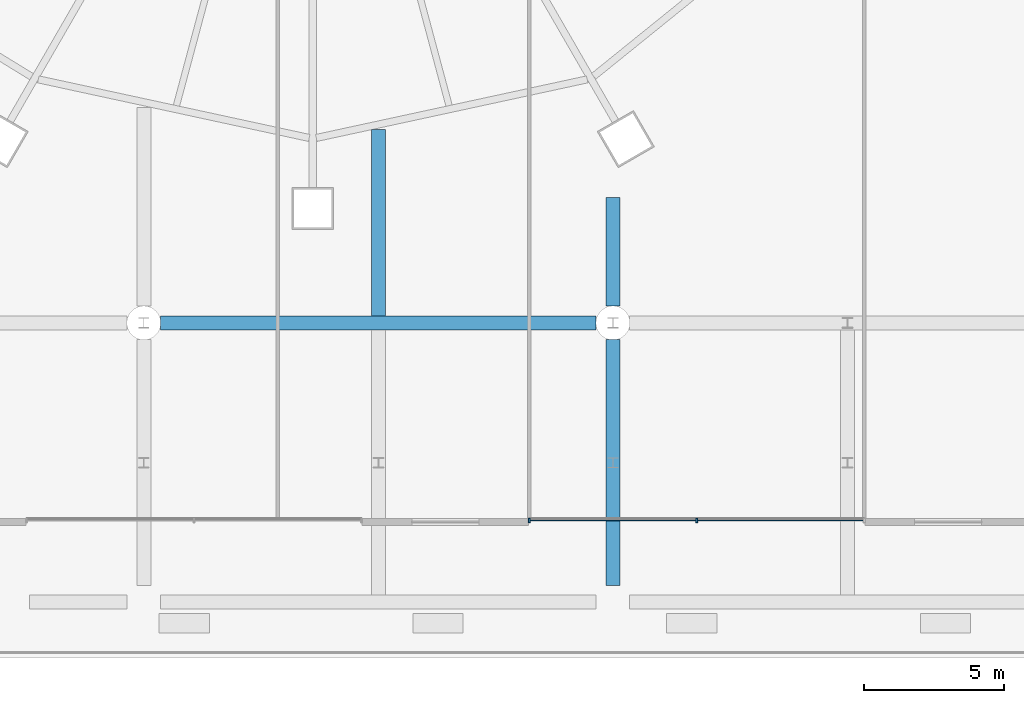
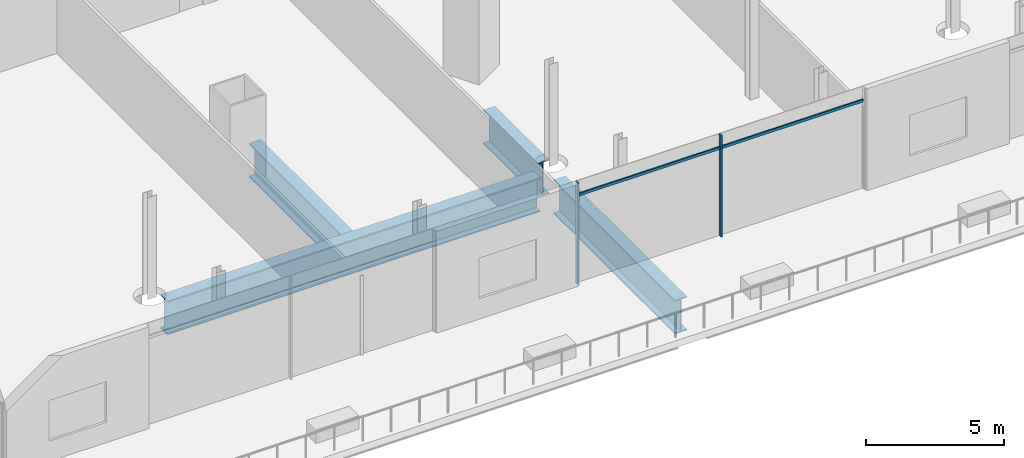
# One storey, part 15 of 56: 4 beams, 4 members, 1 element without a shape of its own.
"""IFC4 building model written with IfcOpenShell, lengths in metres."""

from ifc_helpers import new_model, si_unit, direction, frame, origin, origin_2d, place, context, subcontext, project, spatial, rectangle, i_section, extrude, material, material_profile, profile_set, type_object, element, aggregate, save


model = new_model("IFC4")

# Units and contexts
model_context = context("Model", 3, precision=1e-05, world=origin(), true_north=direction((0.0, 1.0)))
body_context = subcontext(model_context, "Body", "Model", "MODEL_VIEW")
ifc_project = project(units=[si_unit("LENGTHUNIT", "METRE"), si_unit("AREAUNIT", "SQUARE_METRE"), si_unit("VOLUMEUNIT", "CUBIC_METRE"), si_unit("PLANEANGLEUNIT", "RADIAN"), si_unit("MASSUNIT", "GRAM", prefix="KILO")], contexts=[model_context])

# Site, building, storey
site_placement = place(None, origin())
site = spatial("IfcSite", under=ifc_project, at=site_placement, CompositionType="ELEMENT")
building_placement = place(site_placement, origin())
building = spatial("IfcBuilding", under=site, at=building_placement, Name="Rimbun Link Towers", CompositionType="ELEMENT")
storey_placement = place(building_placement, frame((0.0, 0.0, 16.5)))
storey = spatial("IfcBuildingStorey", under=building, at=storey_placement, Name="L03", CompositionType="ELEMENT", Elevation=16.5)

# Curtain wall, members
ifc_material_1 = material(Name="Aluminium 6063-T6 and low-iron glass", Category="aluminium")
curtain_wall_type = type_object("IfcCurtainWallType", Name="CW3 podium shopfront", PredefinedType="NOTDEFINED", material=ifc_material_1)
curtain_wall_placement = place(storey_placement, origin())
curtain_wall = element("IfcCurtainWall", 1, at=curtain_wall_placement, inside=storey, type_object=curtain_wall_type, Name="CW3 L03 PD", PredefinedType="NOTDEFINED")
ifc_material_2 = material(Name="Aluminium 6063-T6", Category="aluminium")
ifc_material_profile_1 = material_profile(ifc_material_2, rectangle(XDim=0.14990234375, YDim=0.06005859375, at=origin_2d()), Name="MULLION 60X150")
ifc_profile_set_1 = profile_set([ifc_material_profile_1], Name="Aluminium 6063-T6")
member_type_1 = type_object("IfcMemberType", Name="CW3 mullion 60X150", PredefinedType="MULLION", material=ifc_profile_set_1)
member_1_placement = place(storey_placement, frame((-24.0, -33.074951171875, 0.0), z_axis=(0.0, 0.0, 1.0), x_axis=(0.0, -1.0, 0.0)))
member_1 = element("IfcMember", 2, at=member_1_placement, type_object=member_type_1, Name="CW3 mullion", PredefinedType="MULLION", context=body_context, shape_type="SweptSolid", body=[
    extrude(rectangle(XDim=0.14990234375, YDim=0.06005859375, at=origin_2d()), origin(), (0.0, 0.0, 1.0), 4.5),
])
member_2_placement = place(storey_placement, frame((-18.0, -33.074951171875, 0.0), z_axis=(0.0, 0.0, 1.0), x_axis=(0.0, -1.0, 0.0)))
member_2 = element("IfcMember", 3, at=member_2_placement, type_object=member_type_1, Name="CW3 mullion", PredefinedType="MULLION", context=body_context, shape_type="SweptSolid", body=[
    extrude(rectangle(XDim=0.14990234375, YDim=0.06005859375, at=origin_2d()), origin(), (0.0, 0.0, 1.0), 4.5),
])
ifc_material_3 = material(Name="Aluminium 6063-T6", Category="aluminium")
ifc_material_profile_2 = material_profile(ifc_material_3, rectangle(XDim=0.06005859375, YDim=0.1201171875, at=origin_2d()), Name="TRANSOM 60X120")
ifc_profile_set_2 = profile_set([ifc_material_profile_2], Name="Aluminium 6063-T6")
member_type_2 = type_object("IfcMemberType", Name="CW3 transom 60X120", PredefinedType="USERDEFINED", material=ifc_profile_set_2)
member_3_placement = place(storey_placement, frame((-18.030029296875, -33.053955078125, 3.89990234375), z_axis=(-1.0, 0.0, 0.0), x_axis=(0.0, -1.0, 0.0)))
member_3 = element("IfcMember", 4, at=member_3_placement, type_object=member_type_2, Name="CW3 transom", ObjectType="TRANSOM", PredefinedType="USERDEFINED", context=body_context, shape_type="SweptSolid", body=[
    extrude(rectangle(XDim=0.06005859375, YDim=0.1201171875, at=origin_2d()), origin(), (0.0, 0.0, 1.0), 5.93994140625),
])
member_4_placement = place(storey_placement, frame((-12.030029296875, -33.053955078125, 3.89990234375), z_axis=(-1.0, 0.0, 0.0), x_axis=(0.0, -1.0, 0.0)))
member_4 = element("IfcMember", 5, at=member_4_placement, type_object=member_type_2, Name="CW3 transom", ObjectType="TRANSOM", PredefinedType="USERDEFINED", context=body_context, shape_type="SweptSolid", body=[
    extrude(rectangle(XDim=0.06005859375, YDim=0.1201171875, at=origin_2d()), origin(), (0.0, 0.0, 1.0), 5.93994140625),
])
aggregate(curtain_wall, [member_1, member_2, member_3, member_4])

# Beams
ifc_material_4 = material(Name="Steel S355J2", Category="steel")
ifc_material_profile_3 = material_profile(ifc_material_4, i_section(OverallWidth=0.5, OverallDepth=1.5, WebThickness=0.030029296875, FlangeThickness=0.050048828125, at=origin_2d()), Name="PG 1500x500x30/50")
ifc_profile_set_3 = profile_set([ifc_material_profile_3], Name="Steel S355J2")
beam_type = type_object("IfcBeamType", Name="PG 1500x500x30/50", PredefinedType="BEAM", material=ifc_profile_set_3)
beam_1_placement = place(storey_placement, frame((-37.199951171875, -26.0, -1.050048828125), z_axis=(1.0, 0.0, 0.0), x_axis=(0.0, 1.0, 0.0)))
element("IfcBeam", 6, at=beam_1_placement, inside=storey, type_object=beam_type, Name="Grid beam L03 -26.0", PredefinedType="BEAM", context=body_context, shape_type="SweptSolid", body=[
    extrude(i_section(OverallWidth=0.5, OverallDepth=1.5, WebThickness=0.030029296875, FlangeThickness=0.050048828125, at=origin_2d()), origin(), (0.0, 0.0, 1.0), 15.599853515625),
])
beam_2_placement = place(storey_placement, frame((-29.39990234375, -25.75, -1.050048828125), z_axis=(0.0, 1.0, 0.0), x_axis=(-1.0, 0.0, 0.0)))
element("IfcBeam", 7, at=beam_2_placement, inside=storey, type_object=beam_type, Name="Grid beam L03 -29.4", PredefinedType="BEAM", context=body_context, shape_type="SweptSolid", body=[
    extrude(i_section(OverallWidth=0.5, OverallDepth=1.5, WebThickness=0.030029296875, FlangeThickness=0.050048828125, at=origin_2d()), origin(), (0.0, 0.0, 1.0), 6.670654296875),
])
beam_3_placement = place(storey_placement, frame((-21.0, -35.39990234375, -1.050048828125), z_axis=(0.0, 1.0, 0.0), x_axis=(-1.0, 0.0, 0.0)))
element("IfcBeam", 8, at=beam_3_placement, inside=storey, type_object=beam_type, Name="Grid beam L03 -21.0", PredefinedType="BEAM", context=body_context, shape_type="SweptSolid", body=[
    extrude(i_section(OverallWidth=0.5, OverallDepth=1.5, WebThickness=0.030029296875, FlangeThickness=0.050048828125, at=origin_2d()), origin(), (0.0, 0.0, 1.0), 8.7998046875),
])
beam_4_placement = place(storey_placement, frame((-21.0, -25.39990234375, -1.050048828125), z_axis=(0.0, 1.0, 0.0), x_axis=(-1.0, 0.0, 0.0)))
element("IfcBeam", 9, at=beam_4_placement, inside=storey, type_object=beam_type, Name="Grid beam L03 -21.0", PredefinedType="BEAM", context=body_context, shape_type="SweptSolid", body=[
    extrude(i_section(OverallWidth=0.5, OverallDepth=1.5, WebThickness=0.030029296875, FlangeThickness=0.050048828125, at=origin_2d()), origin(), (0.0, 0.0, 1.0), 3.89990234375),
])

save(model, "model.ifc")
